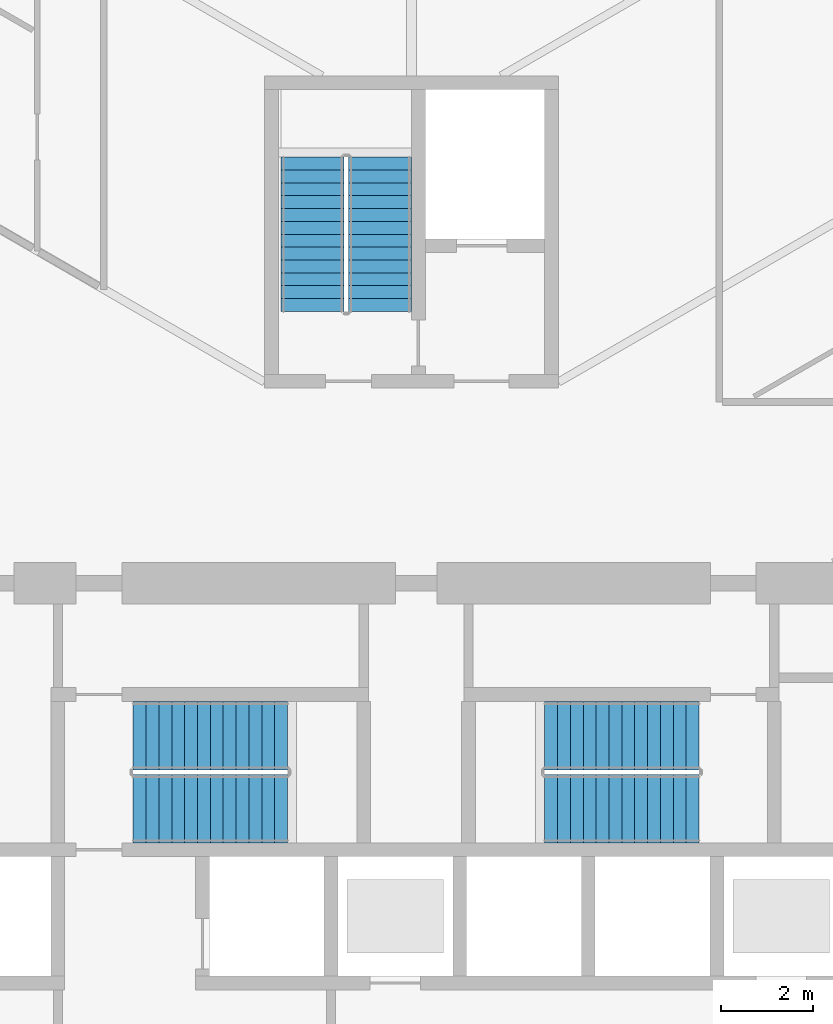
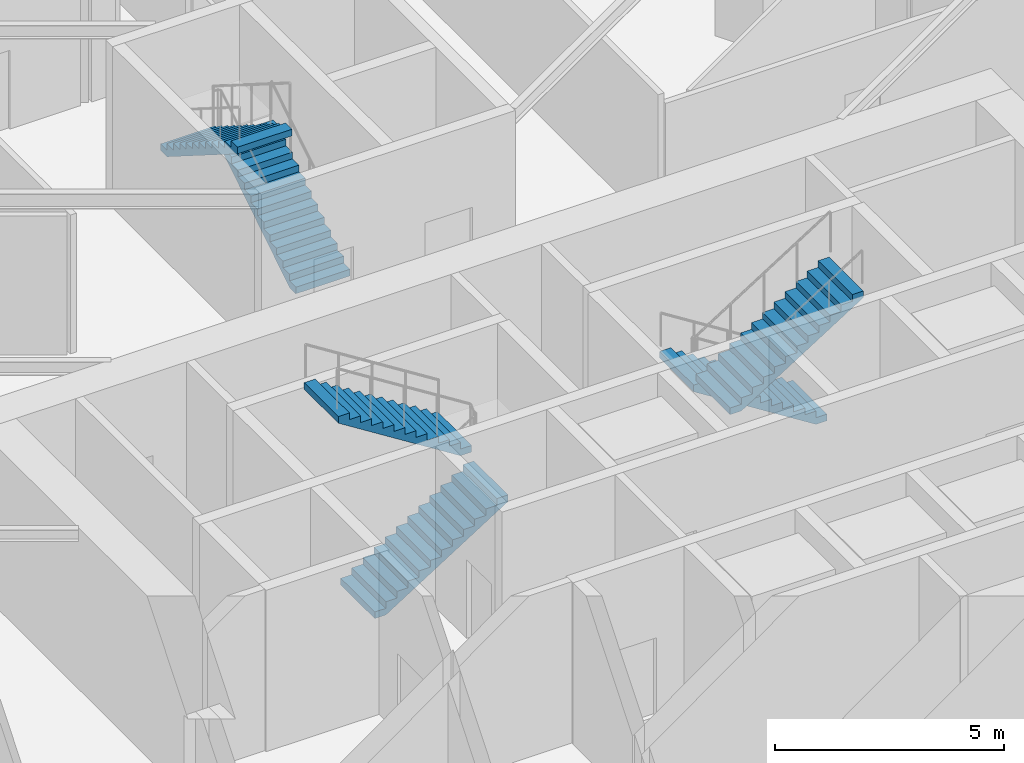
# One storey, part 21 of 23: 6 stair flights, 3 elements without a shape of their own.
"""IFC4 building model written with IfcOpenShell, lengths in metres."""

from ifc_helpers import new_model, si_unit, direction, frame, origin, place, context, subcontext, project, spatial, polyline, outline, extrude, material, type_object, element, aggregate, save


model = new_model("IFC4")

# Units and contexts
model_context = context("Model", 3, precision=1e-05, world=origin(), true_north=direction((0.0, 1.0)))
body_context = subcontext(model_context, "Body", "Model", "MODEL_VIEW")
ifc_project = project(units=[si_unit("LENGTHUNIT", "METRE"), si_unit("AREAUNIT", "SQUARE_METRE"), si_unit("VOLUMEUNIT", "CUBIC_METRE"), si_unit("PLANEANGLEUNIT", "RADIAN"), si_unit("MASSUNIT", "GRAM", prefix="KILO")], contexts=[model_context])

# Site, building, storey
site_placement = place(None, origin())
site = spatial("IfcSite", under=ifc_project, at=site_placement, CompositionType="ELEMENT")
building_placement = place(site_placement, origin())
building = spatial("IfcBuilding", under=site, at=building_placement, Name="Firuza Gate Tower and Library", CompositionType="ELEMENT")
storey_placement = place(building_placement, frame((0.0, 0.0, 21.800048828125)))
storey = spatial("IfcBuildingStorey", under=building, at=storey_placement, Name="L04", CompositionType="ELEMENT", Elevation=21.800048828125)

# Stair, stair flights
ifc_material_1 = material(Name="Concrete C35/45", Category="concrete")
stair_type_1 = type_object("IfcStairType", Name="Exit stair ST13", PredefinedType="HALF_TURN_STAIR", material=ifc_material_1)
placement = place(storey_placement, origin())
stair_1 = element("IfcStair", 1, at=placement, inside=storey, type_object=stair_type_1, Name="L04 Stair ST3", PredefinedType="HALF_TURN_STAIR")
ifc_material_2 = material(Name="Concrete C35/45", Category="concrete")
stair_flight_type_1 = type_object("IfcStairFlightType", Name="Stair flight 13 risers 176.9 width 1370", PredefinedType="STRAIGHT", material=ifc_material_2)
stair_flight_1_placement = place(storey_placement, frame((74.31494140625, 89.469970703125, 0.0), z_axis=(0.0, 0.0, 1.0), x_axis=(0.0, 1.0, 0.0)))
stair_flight_1 = element("IfcStairFlight", 2, at=stair_flight_1_placement, type_object=stair_flight_type_1, Name="ST3 flight 1", NumberOfRisers=13, NumberOfTreads=12, PredefinedType="STRAIGHT", RiserHeight=0.176923077, TreadLength=0.28, context=body_context, shape_type="SweptSolid", body=[
    extrude(outline(polyline([(0.0, 0.0), (0.0, 0.177001953125), (0.280029296875, 0.177001953125), (0.280029296875, 0.353759765625), (0.56005859375, 0.353759765625), (0.56005859375, 0.53076171875), (0.840087890625, 0.53076171875), (0.840087890625, 0.707763671875), (1.1201171875, 0.707763671875), (1.1201171875, 0.884521484375), (1.39990234375, 0.884521484375), (1.39990234375, 1.0615234375), (1.679931640625, 1.0615234375), (1.679931640625, 1.238525390625), (1.9599609375, 1.238525390625), (1.9599609375, 1.415283203125), (2.239990234375, 1.415283203125), (2.239990234375, 1.59228515625), (2.52001953125, 1.59228515625), (2.52001953125, 1.769287109375), (2.800048828125, 1.769287109375), (2.800048828125, 1.946044921875), (3.080078125, 1.946044921875), (3.080078125, 2.123046875), (3.360107421875, 2.123046875), (3.360107421875, 2.300048828125), (3.360107421875, 1.94580078125), (0.280517578125, 0.0), (0.0, 0.0)])), frame((0.0, 0.68505859375, 0.0), z_axis=(0.0, -1.0, 0.0), x_axis=(1.0, 0.0, 0.0)), (0.0, 0.0, 1.0), 1.3701171875),
])
stair_flight_2_placement = place(storey_placement, frame((72.844970703125, 92.830078125, 2.300048828125), z_axis=(0.0, 0.0, 1.0), x_axis=(0.0, -1.0, 0.0)))
stair_flight_2 = element("IfcStairFlight", 3, at=stair_flight_2_placement, type_object=stair_flight_type_1, Name="ST3 flight 2", NumberOfRisers=13, NumberOfTreads=12, PredefinedType="STRAIGHT", RiserHeight=0.176923077, TreadLength=0.28, context=body_context, shape_type="SweptSolid", body=[
    extrude(outline(polyline([(0.0, 0.0), (0.0, 0.177001953125), (0.280029296875, 0.177001953125), (0.280029296875, 0.353759765625), (0.56005859375, 0.353759765625), (0.56005859375, 0.53076171875), (0.840087890625, 0.53076171875), (0.840087890625, 0.707763671875), (1.1201171875, 0.707763671875), (1.1201171875, 0.884521484375), (1.39990234375, 0.884521484375), (1.39990234375, 1.0615234375), (1.679931640625, 1.0615234375), (1.679931640625, 1.238525390625), (1.9599609375, 1.238525390625), (1.9599609375, 1.415283203125), (2.239990234375, 1.415283203125), (2.239990234375, 1.59228515625), (2.52001953125, 1.59228515625), (2.52001953125, 1.769287109375), (2.800048828125, 1.769287109375), (2.800048828125, 1.946044921875), (3.080078125, 1.946044921875), (3.080078125, 2.123046875), (3.360107421875, 2.123046875), (3.360107421875, 2.300048828125), (3.360107421875, 1.94580078125), (0.280517578125, 0.0), (0.0, 0.0)])), frame((0.0, 0.68505859375, 0.0), z_axis=(0.0, -1.0, 0.0), x_axis=(1.0, 0.0, 0.0)), (0.0, 0.0, 1.0), 1.3701171875),
])
aggregate(stair_1, [stair_flight_1, stair_flight_2])

ifc_material_3 = material(Name="Concrete C35/45", Category="concrete")
stair_type_2 = type_object("IfcStairType", Name="Exit stair ST4", PredefinedType="HALF_TURN_STAIR", material=ifc_material_3)
stair_2 = element("IfcStair", 4, at=placement, inside=storey, type_object=stair_type_2, Name="L04 Stair ST1", PredefinedType="HALF_TURN_STAIR")
ifc_material_4 = material(Name="Concrete C35/45", Category="concrete")
stair_flight_type_2 = type_object("IfcStairFlightType", Name="Stair flight 13 risers 176.9 width 1490", PredefinedType="STRAIGHT", material=ifc_material_4)
stair_flight_3_placement = place(storey_placement, frame((68.93994140625, 78.64501953125, 0.0), z_axis=(0.0, 0.0, 1.0), x_axis=(1.0, 0.0, 0.0)))
stair_flight_3 = element("IfcStairFlight", 5, at=stair_flight_3_placement, type_object=stair_flight_type_2, Name="ST1 flight 1", NumberOfRisers=13, NumberOfTreads=12, PredefinedType="STRAIGHT", RiserHeight=0.176923077, TreadLength=0.28, context=body_context, shape_type="SweptSolid", body=[
    extrude(outline(polyline([(0.0, 0.0), (0.0, 0.177001953125), (0.280029296875, 0.177001953125), (0.280029296875, 0.353759765625), (0.56005859375, 0.353759765625), (0.56005859375, 0.53076171875), (0.840087890625, 0.53076171875), (0.840087890625, 0.707763671875), (1.1201171875, 0.707763671875), (1.1201171875, 0.884521484375), (1.39990234375, 0.884521484375), (1.39990234375, 1.0615234375), (1.679931640625, 1.0615234375), (1.679931640625, 1.238525390625), (1.9599609375, 1.238525390625), (1.9599609375, 1.415283203125), (2.239990234375, 1.415283203125), (2.239990234375, 1.59228515625), (2.52001953125, 1.59228515625), (2.52001953125, 1.769287109375), (2.800048828125, 1.769287109375), (2.800048828125, 1.946044921875), (3.080078125, 1.946044921875), (3.080078125, 2.123046875), (3.360107421875, 2.123046875), (3.360107421875, 2.300048828125), (3.360107421875, 1.94580078125), (0.280517578125, 0.0), (0.0, 0.0)])), frame((0.0, 0.7451171875, 0.0), z_axis=(0.0, -1.0, 0.0), x_axis=(1.0, 0.0, 0.0)), (0.0, 0.0, 1.0), 1.489990234375),
])
stair_flight_4_placement = place(storey_placement, frame((72.300048828125, 80.235107421875, 2.300048828125), z_axis=(0.0, 0.0, 1.0), x_axis=(-1.0, 0.0, 0.0)))
stair_flight_4 = element("IfcStairFlight", 6, at=stair_flight_4_placement, type_object=stair_flight_type_2, Name="ST1 flight 2", NumberOfRisers=13, NumberOfTreads=12, PredefinedType="STRAIGHT", RiserHeight=0.176923077, TreadLength=0.28, context=body_context, shape_type="SweptSolid", body=[
    extrude(outline(polyline([(0.0, 0.0), (0.0, 0.177001953125), (0.280029296875, 0.177001953125), (0.280029296875, 0.353759765625), (0.56005859375, 0.353759765625), (0.56005859375, 0.53076171875), (0.840087890625, 0.53076171875), (0.840087890625, 0.707763671875), (1.1201171875, 0.707763671875), (1.1201171875, 0.884521484375), (1.39990234375, 0.884521484375), (1.39990234375, 1.0615234375), (1.679931640625, 1.0615234375), (1.679931640625, 1.238525390625), (1.9599609375, 1.238525390625), (1.9599609375, 1.415283203125), (2.239990234375, 1.415283203125), (2.239990234375, 1.59228515625), (2.52001953125, 1.59228515625), (2.52001953125, 1.769287109375), (2.800048828125, 1.769287109375), (2.800048828125, 1.946044921875), (3.080078125, 1.946044921875), (3.080078125, 2.123046875), (3.360107421875, 2.123046875), (3.360107421875, 2.300048828125), (3.360107421875, 1.94580078125), (0.280517578125, 0.0), (0.0, 0.0)])), frame((0.0, 0.7451171875, 0.0), z_axis=(0.0, -1.0, 0.0), x_axis=(1.0, 0.0, 0.0)), (0.0, 0.0, 1.0), 1.489990234375),
])
aggregate(stair_2, [stair_flight_3, stair_flight_4])

stair_3 = element("IfcStair", 7, at=placement, inside=storey, type_object=stair_type_2, Name="L04 Stair ST2", PredefinedType="HALF_TURN_STAIR")
stair_flight_5_placement = place(storey_placement, frame((81.260009765625, 80.235107421875, 0.0), z_axis=(0.0, 0.0, 1.0), x_axis=(-1.0, 0.0, 0.0)))
stair_flight_5 = element("IfcStairFlight", 8, at=stair_flight_5_placement, type_object=stair_flight_type_2, Name="ST2 flight 1", NumberOfRisers=13, NumberOfTreads=12, PredefinedType="STRAIGHT", RiserHeight=0.176923077, TreadLength=0.28, context=body_context, shape_type="SweptSolid", body=[
    extrude(outline(polyline([(0.0, 0.0), (0.0, 0.177001953125), (0.280029296875, 0.177001953125), (0.280029296875, 0.353759765625), (0.56005859375, 0.353759765625), (0.56005859375, 0.53076171875), (0.840087890625, 0.53076171875), (0.840087890625, 0.707763671875), (1.1201171875, 0.707763671875), (1.1201171875, 0.884521484375), (1.39990234375, 0.884521484375), (1.39990234375, 1.0615234375), (1.679931640625, 1.0615234375), (1.679931640625, 1.238525390625), (1.9599609375, 1.238525390625), (1.9599609375, 1.415283203125), (2.239990234375, 1.415283203125), (2.239990234375, 1.59228515625), (2.52001953125, 1.59228515625), (2.52001953125, 1.769287109375), (2.800048828125, 1.769287109375), (2.800048828125, 1.946044921875), (3.080078125, 1.946044921875), (3.080078125, 2.123046875), (3.360107421875, 2.123046875), (3.360107421875, 2.300048828125), (3.360107421875, 1.94580078125), (0.280517578125, 0.0), (0.0, 0.0)])), frame((0.0, 0.7451171875, 0.0), z_axis=(0.0, -1.0, 0.0), x_axis=(1.0, 0.0, 0.0)), (0.0, 0.0, 1.0), 1.489990234375),
])
stair_flight_6_placement = place(storey_placement, frame((77.89990234375, 78.64501953125, 2.300048828125), z_axis=(0.0, 0.0, 1.0), x_axis=(1.0, 0.0, 0.0)))
stair_flight_6 = element("IfcStairFlight", 9, at=stair_flight_6_placement, type_object=stair_flight_type_2, Name="ST2 flight 2", NumberOfRisers=13, NumberOfTreads=12, PredefinedType="STRAIGHT", RiserHeight=0.176923077, TreadLength=0.28, context=body_context, shape_type="SweptSolid", body=[
    extrude(outline(polyline([(0.0, 0.0), (0.0, 0.177001953125), (0.280029296875, 0.177001953125), (0.280029296875, 0.353759765625), (0.56005859375, 0.353759765625), (0.56005859375, 0.53076171875), (0.840087890625, 0.53076171875), (0.840087890625, 0.707763671875), (1.1201171875, 0.707763671875), (1.1201171875, 0.884521484375), (1.39990234375, 0.884521484375), (1.39990234375, 1.0615234375), (1.679931640625, 1.0615234375), (1.679931640625, 1.238525390625), (1.9599609375, 1.238525390625), (1.9599609375, 1.415283203125), (2.239990234375, 1.415283203125), (2.239990234375, 1.59228515625), (2.52001953125, 1.59228515625), (2.52001953125, 1.769287109375), (2.800048828125, 1.769287109375), (2.800048828125, 1.946044921875), (3.080078125, 1.946044921875), (3.080078125, 2.123046875), (3.360107421875, 2.123046875), (3.360107421875, 2.300048828125), (3.360107421875, 1.94580078125), (0.280517578125, 0.0), (0.0, 0.0)])), frame((0.0, 0.7451171875, 0.0), z_axis=(0.0, -1.0, 0.0), x_axis=(1.0, 0.0, 0.0)), (0.0, 0.0, 1.0), 1.489990234375),
])
aggregate(stair_3, [stair_flight_5, stair_flight_6])

save(model, "model.ifc")
